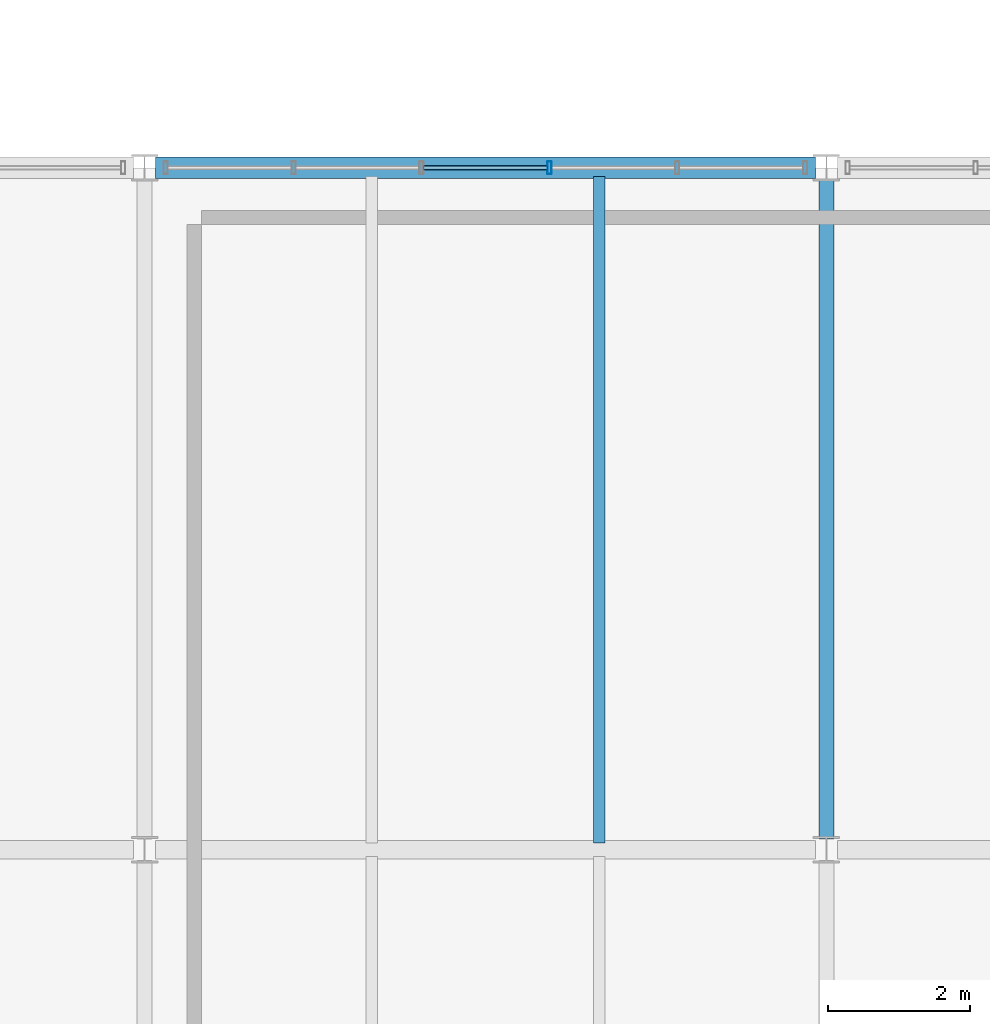
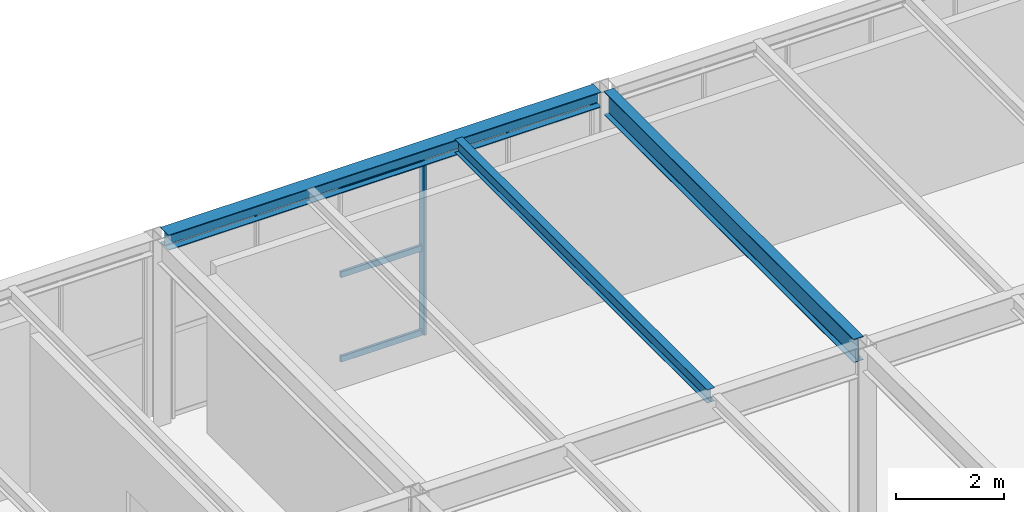
# One storey, part 47 of 170: 4 members, 3 beams, 1 element without a shape of its own.
"""IFC4 building model written with IfcOpenShell, lengths in metres."""

import ifcopenshell
import ifcopenshell.guid

model = None  # the IFC model being written
_history = None  # IfcOwnerHistory: only IFC2X3 demands one
_inside = {}  # id of a spatial element -> (the spatial element, [elements in it])
_under = {}  # id of a project, library or spatial element -> (it, [spatial elements below it])
_declared = {}  # id of a project -> (the project, [libraries it declares])
_typed = {}  # id of a type object -> (the type object, [elements of that type])
_made_of = {}  # id of a material, layer set ... -> (it, [elements and type objects made of it])


def new_model(schema):
    """Start an empty IFC model of exactly this schema.

    Asked for "IFC4X3", IfcOpenShell would pick the latest addendum, in which some entities
    have other attributes; the version numbers below select the first issue.
    IFC2X3 requires an IfcOwnerHistory on every rooted entity: one is made here for all.
    """
    global model, _history
    if schema == "IFC4X3":
        model = ifcopenshell.file(schema_version=(4, 3, 0, 0))
    else:
        model = ifcopenshell.file(schema=schema)
    _inside.clear()
    _under.clear()
    _declared.clear()
    _typed.clear()
    _made_of.clear()
    _history = None
    if model.schema == "IFC2X3":
        org = make("IfcOrganization", Name="unknown")
        user = make(
            "IfcPersonAndOrganization",
            ThePerson=make("IfcPerson", FamilyName="unknown"),
            TheOrganization=org,
        )
        app = make(
            "IfcApplication",
            ApplicationDeveloper=org,
            Version="unknown",
            ApplicationFullName="unknown",
            ApplicationIdentifier="unknown",
        )
        _history = make(
            "IfcOwnerHistory",
            OwningUser=user,
            OwningApplication=app,
            ChangeAction="ADDED",
            CreationDate=0,
        )
    return model


def make(cls, **values):
    """One entity of the class cls with the attributes given. An attribute that is None is left unset."""
    return model.create_entity(
        cls, **{name: value for name, value in values.items() if value is not None}
    )


def rooted(cls, **values):
    """An entity with a GlobalId (a new one), such as an element, a storey or a relation."""
    return make(cls, GlobalId=ifcopenshell.guid.new(), OwnerHistory=_history, **values)


def si_unit(unit_type, name, prefix=None):
    """IfcSIUnit, for example si_unit("LENGTHUNIT", "METRE", prefix="MILLI")."""
    return make("IfcSIUnit", UnitType=unit_type, Prefix=prefix, Name=name)


def assignment(units):
    """IfcUnitAssignment: the units of a project."""
    return None if units is None else make("IfcUnitAssignment", Units=units)


def point(xyz):
    """IfcCartesianPoint."""
    return None if xyz is None else make("IfcCartesianPoint", Coordinates=xyz)


def direction(xyz):
    """IfcDirection."""
    return None if xyz is None else make("IfcDirection", DirectionRatios=xyz)


def frame(location, z_axis=None, x_axis=None):
    """IfcAxis2Placement3D, a coordinate frame: its origin and axes. An axis left out is left unset."""
    return make(
        "IfcAxis2Placement3D",
        Location=point(location),
        Axis=direction(z_axis),
        RefDirection=direction(x_axis),
    )


def frame_2d(location, x_axis=None):
    """IfcAxis2Placement2D, a coordinate frame in the plane: its origin and x axis."""
    return make(
        "IfcAxis2Placement2D", Location=point(location), RefDirection=direction(x_axis)
    )


def origin():
    """The frame at (0, 0, 0) with its axes left unset."""
    return frame((0.0, 0.0, 0.0))


def origin_2d():
    """The frame at (0, 0) in the plane with its x axis left unset."""
    return frame_2d((0.0, 0.0))


def place(relative_to, where):
    """IfcLocalPlacement: puts the frame where relative to a parent placement (None: the world)."""
    return make(
        "IfcLocalPlacement", PlacementRelTo=relative_to, RelativePlacement=where
    )


def context(
    kind, dimensions, precision=None, world=None, true_north=None, identifier=None
):
    """IfcGeometricRepresentationContext, for example the 3D "Model" context."""
    return make(
        "IfcGeometricRepresentationContext",
        ContextIdentifier=identifier,
        ContextType=kind,
        CoordinateSpaceDimension=dimensions,
        Precision=precision,
        WorldCoordinateSystem=world,
        TrueNorth=true_north,
    )


def subcontext(parent, identifier, kind, view, scale=None):
    """IfcGeometricRepresentationSubContext, for example "Body" below "Model"."""
    return make(
        "IfcGeometricRepresentationSubContext",
        ContextIdentifier=identifier,
        ContextType=kind,
        ParentContext=parent,
        TargetScale=scale,
        TargetView=view,
    )


def project(units=None, contexts=None):
    """IfcProject with its units and contexts."""
    return rooted(
        "IfcProject",
        Name="project",
        RepresentationContexts=contexts,
        UnitsInContext=assignment(units),
    )


def spatial(cls, under=None, at=None, **own):
    """A site, building, storey or space (cls), placed at a placement, below another one or the project."""
    s = rooted(cls, ObjectPlacement=at, **own)
    if under is not None:
        _under.setdefault(under.id(), (under, []))[1].append(s)
    return s


def profile(cls, at=None, kind="AREA", **sizes):
    """A parametric profile (cls). Its sizes go by their IFC names, for example OverallWidth=200.0."""
    return make(cls, ProfileType=kind, Position=at, **sizes)


def hollow_rectangle(**sizes):
    """IfcRectangleHollowProfileDef."""
    return profile("IfcRectangleHollowProfileDef", **sizes)


def i_section(**sizes):
    """IfcIShapeProfileDef."""
    return profile("IfcIShapeProfileDef", **sizes)


def extrude(swept, where, along, depth):
    """IfcExtrudedAreaSolid: the profile swept, set in the frame where, extruded along a direction by depth."""
    return make(
        "IfcExtrudedAreaSolid",
        SweptArea=swept,
        Position=where,
        ExtrudedDirection=direction(along),
        Depth=depth,
    )


def shape(context_of_items, identifier, shape_type, items):
    """IfcShapeRepresentation: the items that make up one representation, for example the "Body"."""
    return make(
        "IfcShapeRepresentation",
        ContextOfItems=context_of_items,
        RepresentationIdentifier=identifier,
        RepresentationType=shape_type,
        Items=items,
    )


def material(Name=None, Category=None):
    """IfcMaterial."""
    return make("IfcMaterial", Name=Name, Category=Category)


def material_profile(
    of_material, cross_section, Name=None, Category=None, Priority=None
):
    """IfcMaterialProfile: a cross section and its material."""
    return make(
        "IfcMaterialProfile",
        Name=Name,
        Material=of_material,
        Profile=cross_section,
        Priority=Priority,
        Category=Category,
    )


def profile_set(profiles, Name=None, composite=None):
    """IfcMaterialProfileSet."""
    return make(
        "IfcMaterialProfileSet",
        Name=Name,
        MaterialProfiles=profiles,
        CompositeProfile=composite,
    )


def made_of(thing, what):
    """Note that an element or type object is made of a material, layer set ...; save() writes the relation."""
    if what is not None:
        _made_of.setdefault(what.id(), (what, []))[1].append(thing)
    return thing


def type_object(cls, material=None, **own):
    """A type object (cls), such as IfcWallType, which elements share."""
    return made_of(rooted(cls, **own), material)


def element(
    cls,
    number,
    at=None,
    inside=None,
    cuts=None,
    type_object=None,
    material=None,
    context=None,
    identifier="Body",
    shape_type=None,
    held_by="IfcProductDefinitionShape",
    body=None,
    shapes=None,
    **own,
):
    """One element of the class cls, such as IfcWall. Its Tag is "e" and its number.

    at: its placement. inside: the storey or other place that contains it. cuts: it is an
    opening in that element (IfcRelVoidsElement). A single representation is given by context,
    identifier, shape_type and body (its items); several are given by shapes. held_by: the class
    of the entity that holds the representations. save() writes the other relations.
    """
    e = rooted(cls, Tag="e%d" % number, ObjectPlacement=at, **own)
    if body is not None:
        shapes = [shape(context, identifier, shape_type, body)]
    if shapes is not None:
        e.Representation = make(held_by, Representations=shapes)
    if inside is not None:
        _inside.setdefault(inside.id(), (inside, []))[1].append(e)
    if cuts is not None:
        rooted(
            "IfcRelVoidsElement", RelatingBuildingElement=cuts, RelatedOpeningElement=e
        )
    if type_object is not None:
        _typed.setdefault(type_object.id(), (type_object, []))[1].append(e)
    return made_of(e, material)


def aggregate(whole, parts):
    """IfcRelAggregates: a whole, such as a stair, and the parts it consists of."""
    return rooted("IfcRelAggregates", RelatingObject=whole, RelatedObjects=parts)


def save(model, path):
    """Write the relations noted so far, then the file.

    IfcRelAggregates (storeys below a building ...), IfcRelContainedInSpatialStructure (elements
    in a storey), IfcRelDefinesByType, IfcRelAssociatesMaterial and IfcRelDeclares: one each for
    every whole, place, type object, material and project.
    """
    for whole, parts in _under.values():
        aggregate(whole, parts)
    for where, things in _inside.values():
        rooted(
            "IfcRelContainedInSpatialStructure",
            RelatedElements=things,
            RelatingStructure=where,
        )
    for kind, things in _typed.values():
        rooted("IfcRelDefinesByType", RelatedObjects=things, RelatingType=kind)
    for what, things in _made_of.values():
        rooted("IfcRelAssociatesMaterial", RelatedObjects=things, RelatingMaterial=what)
    for by, libraries in _declared.values():
        rooted("IfcRelDeclares", RelatingContext=by, RelatedDefinitions=libraries)
    model.write(path)


model = new_model("IFC4")

# Units and contexts
model_context = context("Model", 3, precision=1e-05, world=origin(), true_north=direction((0.0, 1.0)))
body_context = subcontext(model_context, "Body", "Model", "MODEL_VIEW")
ifc_project = project(units=[si_unit("LENGTHUNIT", "METRE"), si_unit("AREAUNIT", "SQUARE_METRE"), si_unit("VOLUMEUNIT", "CUBIC_METRE"), si_unit("PLANEANGLEUNIT", "RADIAN"), si_unit("MASSUNIT", "GRAM", prefix="KILO")], contexts=[model_context])

# Site, building, storey
site_placement = place(None, origin())
site = spatial("IfcSite", under=ifc_project, at=site_placement, CompositionType="ELEMENT")
building_placement = place(site_placement, origin())
building = spatial("IfcBuilding", under=site, at=building_placement, Name="Coralgate Yard Interchange", CompositionType="ELEMENT")
storey_placement = place(building_placement, frame((0.0, 0.0, 6.0)))
storey = spatial("IfcBuildingStorey", under=building, at=storey_placement, Name="L01", CompositionType="ELEMENT", Elevation=6.0)

# Beams
ifc_material_1 = material(Name="Structural steel S355J2", Category="steel")
ifc_material_profile_1 = material_profile(ifc_material_1, i_section(OverallWidth=0.209228515625, OverallDepth=0.533203125, WebThickness=0.010009765625, FlangeThickness=0.015625, FilletRadius=0.0126953125, at=origin_2d()), Name="UB 533x210x92")
ifc_profile_set_1 = profile_set([ifc_material_profile_1], Name="Structural steel S355J2")
beam_type_1 = type_object("IfcBeamType", Name="BM-SB-1", PredefinedType="BEAM", material=ifc_profile_set_1)
beam_1_placement = place(storey_placement, frame((19.199951171875, 48.154052734375, 3.9833984375), z_axis=(0.0, 1.0, 0.0), x_axis=(-1.0, 0.0, 0.0)))
element("IfcBeam", 1, at=beam_1_placement, inside=storey, type_object=beam_type_1, Name="L01 primary grid girder X2 Y5-6", PredefinedType="BEAM", context=body_context, shape_type="SweptSolid", body=[
    extrude(i_section(OverallWidth=0.209228515625, OverallDepth=0.533203125, WebThickness=0.010009765625, FlangeThickness=0.015625, FilletRadius=0.0126953125, at=origin_2d()), origin(), (0.0, 0.0, 1.0), 9.291748046875),
])
ifc_material_profile_2 = material_profile(ifc_material_1, i_section(OverallWidth=0.1650390625, OverallDepth=0.303466796875, WebThickness=0.006103515625, FlangeThickness=0.01025390625, FilletRadius=0.0087890625, at=origin_2d()), Name="UB 305x165x40")
ifc_profile_set_2 = profile_set([ifc_material_profile_2], Name="Structural steel S355J2")
beam_type_2 = type_object("IfcBeamType", Name="BM-SJ-1", PredefinedType="JOIST", material=ifc_profile_set_2)
beam_2_placement = place(storey_placement, frame((16.0, 48.096923828125, 4.098388671875), z_axis=(0.0, 1.0, 0.0), x_axis=(-1.0, 0.0, 0.0)))
element("IfcBeam", 2, at=beam_2_placement, inside=storey, type_object=beam_type_2, Name="L01 composite floor joist 1-5-2", PredefinedType="JOIST", context=body_context, shape_type="SweptSolid", body=[
    extrude(i_section(OverallWidth=0.1650390625, OverallDepth=0.303466796875, WebThickness=0.006103515625, FlangeThickness=0.01025390625, FilletRadius=0.0087890625, at=origin_2d()), origin(), (0.0, 0.0, 1.0), 9.383056640625),
])
ifc_material_profile_3 = material_profile(ifc_material_1, i_section(OverallWidth=0.300048828125, OverallDepth=0.35009765625, WebThickness=0.010009765625, FlangeThickness=0.017578125, FilletRadius=0.027099609375, at=origin_2d()), Name="HEA 360")
ifc_profile_set_3 = profile_set([ifc_material_profile_3], Name="Structural steel S355J2")
beam_type_3 = type_object("IfcBeamType", Name="BM-SP-1", PredefinedType="SPANDREL", material=ifc_profile_set_3)
beam_3_placement = place(storey_placement, frame((9.75634765625, 57.60009765625, 4.074951171875), z_axis=(1.0, 0.0, 0.0), x_axis=(0.0, 1.0, 0.0)))
element("IfcBeam", 3, at=beam_3_placement, inside=storey, type_object=beam_type_3, Name="L01 primary grid beam Y6 X1-2", PredefinedType="SPANDREL", context=body_context, shape_type="SweptSolid", body=[
    extrude(i_section(OverallWidth=0.300048828125, OverallDepth=0.35009765625, WebThickness=0.010009765625, FlangeThickness=0.017578125, FilletRadius=0.027099609375, at=origin_2d()), origin(), (0.0, 0.0, 1.0), 9.287353515625),
])

# Curtain wall, members
ifc_material_2 = material(Name="Anodised coastal aluminium and solar-control low-E glass", Category="aluminium")
curtain_wall_type = type_object("IfcCurtainWallType", Name="CW-CW-L01-B", PredefinedType="NOTDEFINED", material=ifc_material_2)
curtain_wall_placement = place(storey_placement, origin())
curtain_wall = element("IfcCurtainWall", 4, at=curtain_wall_placement, inside=storey, type_object=curtain_wall_type, Name="L01 unitised curtain wall CW-L01-N-01-05", PredefinedType="NOTDEFINED")
ifc_material_3 = material(Name="Anodised coastal aluminium 6063-T6", Category="aluminium")
ifc_material_profile_4 = material_profile(ifc_material_3, hollow_rectangle(XDim=0.06005859375, YDim=0.179931640625, WallThickness=0.00390625, InnerFilletRadius=0.00390625, OuterFilletRadius=0.008056640625, at=origin_2d()), Name="ALU 60x180x4")
ifc_profile_set_4 = profile_set([ifc_material_profile_4], Name="Anodised coastal aluminium 6063-T6")
member_type_1 = type_object("IfcMemberType", Name="MB-MUL-180", PredefinedType="MULLION", material=ifc_profile_set_4)
member_1_placement = place(storey_placement, frame((15.300048828125, 57.60009765625, 0.0), z_axis=(0.0, 0.0, 1.0), x_axis=(1.0, 0.0, 0.0)))
member_1 = element("IfcMember", 5, at=member_1_placement, type_object=member_type_1, Name="CW-L01-N-01-05 vertical mullion 4", PredefinedType="MULLION", context=body_context, shape_type="SweptSolid", body=[
    extrude(hollow_rectangle(XDim=0.06005859375, YDim=0.179931640625, WallThickness=0.00390625, InnerFilletRadius=0.00390625, OuterFilletRadius=0.008056640625, at=origin_2d()), origin(), (0.0, 0.0, 1.0), 3.89990234375),
])
ifc_material_profile_5 = material_profile(ifc_material_3, hollow_rectangle(XDim=0.06005859375, YDim=0.139892578125, WallThickness=0.00341796875, InnerFilletRadius=0.00341796875, OuterFilletRadius=0.007080078125, at=origin_2d()), Name="ALU 60x140x3.5")
ifc_profile_set_5 = profile_set([ifc_material_profile_5], Name="Anodised coastal aluminium 6063-T6")
member_type_2 = type_object("IfcMemberType", Name="MB-TRN-140", PredefinedType="USERDEFINED", material=ifc_profile_set_5)
member_2_placement = place(storey_placement, frame((13.530029296875, 57.60009765625, 0.034912109375), z_axis=(1.0, 0.0, 0.0), x_axis=(0.0, 1.0, 0.0)))
member_2 = element("IfcMember", 6, at=member_2_placement, type_object=member_type_2, Name="CW-L01-N-01-05 horizontal transom 3-1", ObjectType="TRANSOM", PredefinedType="USERDEFINED", context=body_context, shape_type="SweptSolid", body=[
    extrude(hollow_rectangle(XDim=0.06005859375, YDim=0.139892578125, WallThickness=0.00341796875, InnerFilletRadius=0.00341796875, OuterFilletRadius=0.007080078125, at=origin_2d()), origin(), (0.0, 0.0, 1.0), 1.739990234375),
])
member_3_placement = place(storey_placement, frame((13.530029296875, 57.60009765625, 1.949951171875), z_axis=(1.0, 0.0, 0.0), x_axis=(0.0, 1.0, 0.0)))
member_3 = element("IfcMember", 7, at=member_3_placement, type_object=member_type_2, Name="CW-L01-N-01-05 horizontal transom 3-2", ObjectType="TRANSOM", PredefinedType="USERDEFINED", context=body_context, shape_type="SweptSolid", body=[
    extrude(hollow_rectangle(XDim=0.06005859375, YDim=0.139892578125, WallThickness=0.00341796875, InnerFilletRadius=0.00341796875, OuterFilletRadius=0.007080078125, at=origin_2d()), origin(), (0.0, 0.0, 1.0), 1.739990234375),
])
member_4_placement = place(storey_placement, frame((13.530029296875, 57.60009765625, 3.864990234375), z_axis=(1.0, 0.0, 0.0), x_axis=(0.0, 1.0, 0.0)))
member_4 = element("IfcMember", 8, at=member_4_placement, type_object=member_type_2, Name="CW-L01-N-01-05 horizontal transom 3-3", ObjectType="TRANSOM", PredefinedType="USERDEFINED", context=body_context, shape_type="SweptSolid", body=[
    extrude(hollow_rectangle(XDim=0.06005859375, YDim=0.139892578125, WallThickness=0.00341796875, InnerFilletRadius=0.00341796875, OuterFilletRadius=0.007080078125, at=origin_2d()), origin(), (0.0, 0.0, 1.0), 1.739990234375),
])
aggregate(curtain_wall, [member_1, member_2, member_3, member_4])

save(model, "model.ifc")
